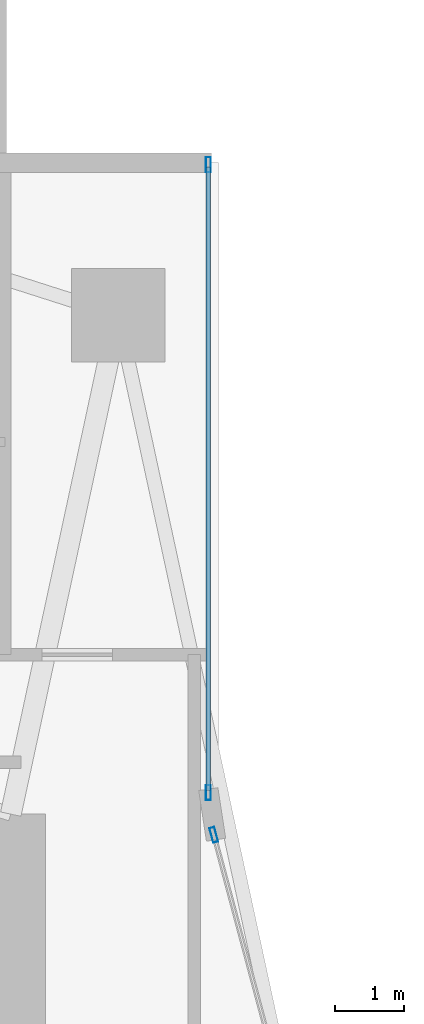
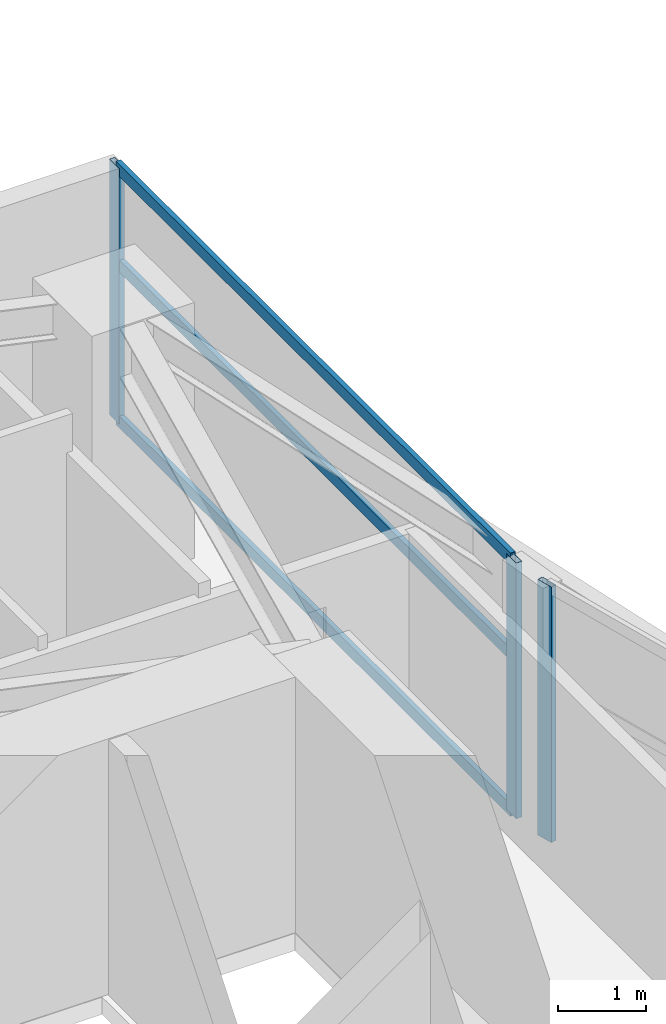
# One storey, part 18 of 29: 6 members, 2 elements without a shape of their own.
"""IFC4 building model written with IfcOpenShell, lengths in metres."""

from ifc_helpers import new_model, si_unit, direction, frame, origin, origin_2d, place, context, subcontext, project, spatial, hollow_rectangle, extrude, material, layer, layer_set, material_profile, profile_set, type_object, element, aggregate, save


model = new_model("IFC4")

# Units and contexts
model_context = context("Model", 3, precision=1e-05, world=origin(), true_north=direction((0.0, 1.0)))
body_context = subcontext(model_context, "Body", "Model", "MODEL_VIEW")
ifc_project = project(units=[si_unit("LENGTHUNIT", "METRE"), si_unit("AREAUNIT", "SQUARE_METRE"), si_unit("VOLUMEUNIT", "CUBIC_METRE"), si_unit("PLANEANGLEUNIT", "RADIAN"), si_unit("MASSUNIT", "GRAM", prefix="KILO")], contexts=[model_context])

# Site, building, storey
site_placement = place(None, origin())
site = spatial("IfcSite", under=ifc_project, at=site_placement, CompositionType="ELEMENT")
building_placement = place(site_placement, origin())
building = spatial("IfcBuilding", under=site, at=building_placement, Name="Calvorn Quay Hotel", CompositionType="ELEMENT")
storey_placement = place(building_placement, frame((0.0, 0.0, 85.0)))
storey = spatial("IfcBuildingStorey", under=building, at=storey_placement, Name="L20", CompositionType="ELEMENT", Elevation=85.0)

# Curtain wall, member
ifc_material_1 = material(Name="Pale Anodised Aluminium and Low-E Glass", Category="aluminium")
ifc_layer = layer(ifc_material_1, 0.219970703125)
ifc_layer_set = layer_set([ifc_layer], Name="CW-SYS-Z1")
curtain_wall_type = type_object("IfcCurtainWallType", Name="CW-SYS-Z1", PredefinedType="NOTDEFINED", material=ifc_layer_set)
curtain_wall_1_placement = place(storey_placement, origin())
curtain_wall_1 = element("IfcCurtainWall", 1, at=curtain_wall_1_placement, inside=storey, type_object=curtain_wall_type, Name="Inner Court Curtain Wall L20-IC1", PredefinedType="NOTDEFINED")
ifc_material_2 = material(Name="Pale Anodised Aluminium 6063-T6", Category="aluminium")
ifc_material_profile_1 = material_profile(ifc_material_2, hollow_rectangle(XDim=0.074951171875, YDim=0.219970703125, WallThickness=0.00439453125, at=origin_2d()), Name="ALU-M220x75x4.5")
ifc_profile_set_1 = profile_set([ifc_material_profile_1], Name="Pale Anodised Aluminium 6063-T6")
member_type_1 = type_object("IfcMemberType", Name="CW-SYS-Z1-MUL", PredefinedType="MULLION", material=ifc_profile_set_1)
member_1_placement = place(storey_placement, frame((17.9296875, 38.10107421875, 0.0), z_axis=(0.0, 0.0, 1.0), x_axis=(-0.96593652056, -0.25877913024, 0.0)))
member_1 = element("IfcMember", 2, at=member_1_placement, type_object=member_type_1, Name="CW-L20-IC1 mullion 2", PredefinedType="MULLION", context=body_context, shape_type="SweptSolid", body=[
    extrude(hollow_rectangle(XDim=0.074951171875, YDim=0.219970703125, WallThickness=0.00439453125, at=origin_2d()), origin(), (0.0, 0.0, 1.0), 3.56005859375),
])
aggregate(curtain_wall_1, [member_1])

# Curtain wall, members
curtain_wall_2_placement = place(storey_placement, origin())
curtain_wall_2 = element("IfcCurtainWall", 3, at=curtain_wall_2_placement, inside=storey, type_object=curtain_wall_type, Name="Inner Court Curtain Wall L20-IC2", PredefinedType="NOTDEFINED")
member_2_placement = place(storey_placement, frame((17.85009765625, 38.7099609375, 0.0), z_axis=(0.0, 0.0, 1.0), x_axis=(-1.0, 0.0, 0.0)))
member_2 = element("IfcMember", 4, at=member_2_placement, type_object=member_type_1, Name="CW-L20-IC2 mullion 1", PredefinedType="MULLION", context=body_context, shape_type="SweptSolid", body=[
    extrude(hollow_rectangle(XDim=0.074951171875, YDim=0.219970703125, WallThickness=0.00439453125, at=origin_2d()), origin(), (0.0, 0.0, 1.0), 3.56005859375),
])
member_3_placement = place(storey_placement, frame((17.85009765625, 47.77001953125, 0.0), z_axis=(0.0, 0.0, 1.0), x_axis=(-1.0, 0.0, 0.0)))
member_3 = element("IfcMember", 5, at=member_3_placement, type_object=member_type_1, Name="CW-L20-IC2 mullion 2", PredefinedType="MULLION", context=body_context, shape_type="SweptSolid", body=[
    extrude(hollow_rectangle(XDim=0.074951171875, YDim=0.219970703125, WallThickness=0.00439453125, at=origin_2d()), origin(), (0.0, 0.0, 1.0), 3.56005859375),
])
ifc_material_3 = material(Name="Pale Anodised Aluminium 6063-T6", Category="aluminium")
ifc_material_profile_2 = material_profile(ifc_material_3, hollow_rectangle(XDim=0.06494140625, YDim=0.1650390625, WallThickness=0.00341796875, at=origin_2d()), Name="ALU-T165x65x3.5")
ifc_profile_set_2 = profile_set([ifc_material_profile_2], Name="Pale Anodised Aluminium 6063-T6")
member_type_2 = type_object("IfcMemberType", Name="CW-SYS-Z1-TRN", PredefinedType="USERDEFINED", material=ifc_profile_set_2)
member_4_placement = place(storey_placement, frame((17.85009765625, 38.739990234375, 0.030029296875), z_axis=(0.0, 1.0, 0.0), x_axis=(-1.0, 0.0, 0.0)))
member_4 = element("IfcMember", 6, at=member_4_placement, type_object=member_type_2, Name="CW-L20-IC2 transom 1.1", ObjectType="TRANSOM", PredefinedType="USERDEFINED", context=body_context, shape_type="SweptSolid", body=[
    extrude(hollow_rectangle(XDim=0.06494140625, YDim=0.1650390625, WallThickness=0.00341796875, at=origin_2d()), origin(), (0.0, 0.0, 1.0), 9.0),
])
member_5_placement = place(storey_placement, frame((17.85009765625, 38.739990234375, 2.199951171875), z_axis=(0.0, 1.0, 0.0), x_axis=(-1.0, 0.0, 0.0)))
member_5 = element("IfcMember", 7, at=member_5_placement, type_object=member_type_2, Name="CW-L20-IC2 transom 1.2", ObjectType="TRANSOM", PredefinedType="USERDEFINED", context=body_context, shape_type="SweptSolid", body=[
    extrude(hollow_rectangle(XDim=0.06494140625, YDim=0.1650390625, WallThickness=0.00341796875, at=origin_2d()), origin(), (0.0, 0.0, 1.0), 9.0),
])
member_6_placement = place(storey_placement, frame((17.85009765625, 38.739990234375, 3.530029296875), z_axis=(0.0, 1.0, 0.0), x_axis=(-1.0, 0.0, 0.0)))
member_6 = element("IfcMember", 8, at=member_6_placement, type_object=member_type_2, Name="CW-L20-IC2 transom 1.3", ObjectType="TRANSOM", PredefinedType="USERDEFINED", context=body_context, shape_type="SweptSolid", body=[
    extrude(hollow_rectangle(XDim=0.06494140625, YDim=0.1650390625, WallThickness=0.00341796875, at=origin_2d()), origin(), (0.0, 0.0, 1.0), 9.0),
])
aggregate(curtain_wall_2, [member_2, member_3, member_4, member_5, member_6])

save(model, "model.ifc")
